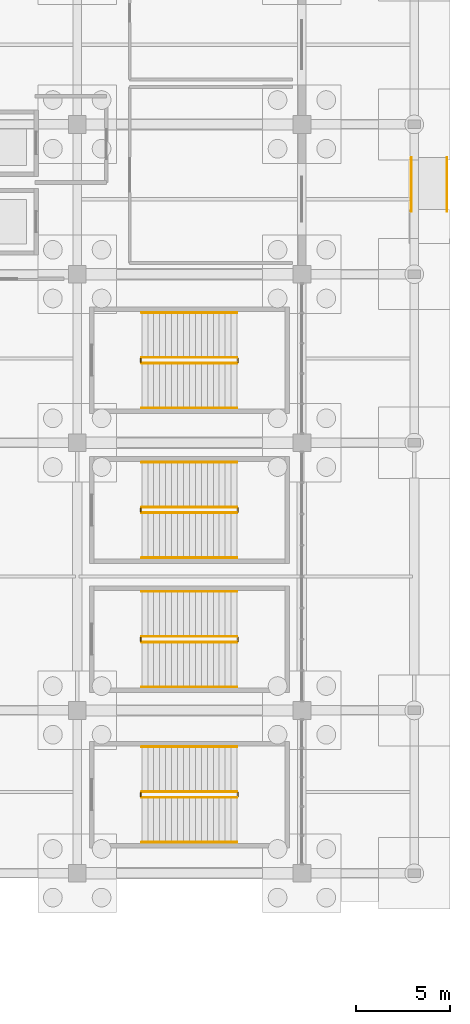
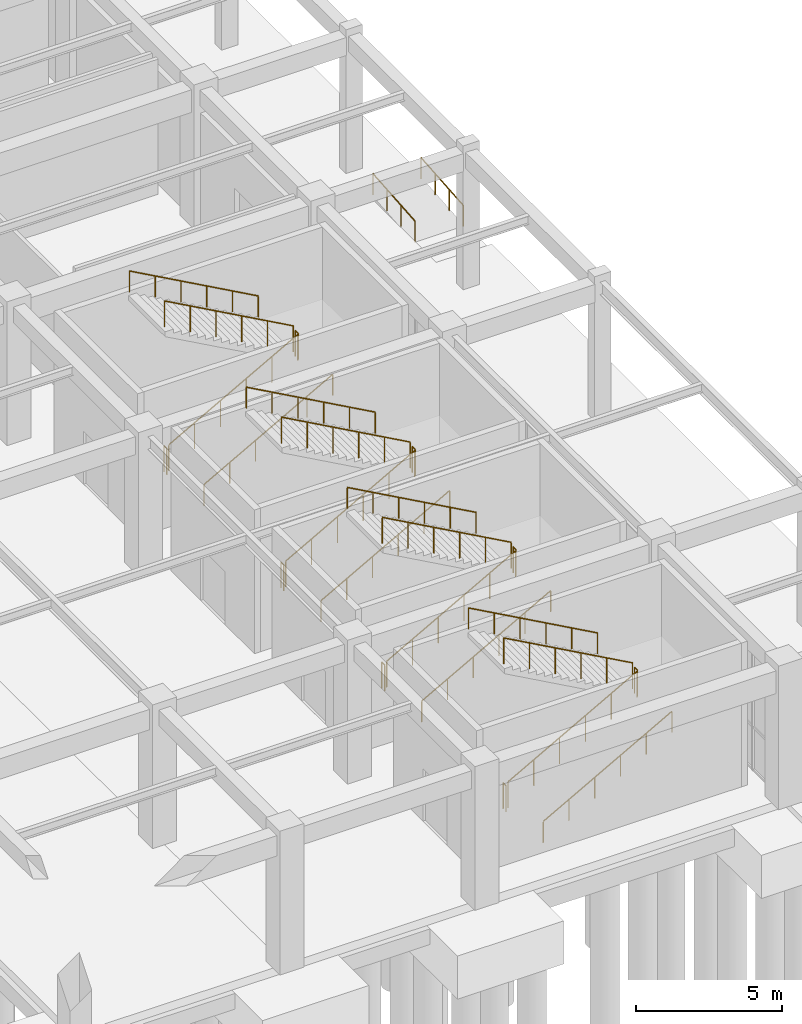
# One storey, part 115 of 121: 26 railings.
"""IFC4 building model written with IfcOpenShell, lengths in metres."""

from ifc_helpers import new_model, si_unit, direction, frame, origin, origin_2d, place, context, subcontext, project, spatial, circle, extrude, material, type_object, element, save


model = new_model("IFC4")

# Units and contexts
model_context = context("Model", 3, precision=1e-05, world=origin(), true_north=direction((0.0, 1.0)))
body_context = subcontext(model_context, "Body", "Model", "MODEL_VIEW")
ifc_project = project(units=[si_unit("LENGTHUNIT", "METRE"), si_unit("AREAUNIT", "SQUARE_METRE"), si_unit("VOLUMEUNIT", "CUBIC_METRE"), si_unit("PLANEANGLEUNIT", "RADIAN"), si_unit("MASSUNIT", "GRAM", prefix="KILO")], contexts=[model_context])

# Site, building, storey
site_placement = place(None, origin())
site = spatial("IfcSite", under=ifc_project, at=site_placement, CompositionType="ELEMENT")
building_placement = place(site_placement, origin())
building = spatial("IfcBuilding", under=site, at=building_placement, Name="Cuetzalor Civic Arena", CompositionType="ELEMENT")
storey_placement = place(building_placement, origin())
storey = spatial("IfcBuildingStorey", under=building, at=storey_placement, Name="L00", CompositionType="ELEMENT", Elevation=0.0)

# Railings
ifc_material_1 = material(Name="Reseda-green architectural Steel S355 balustrade", Category="steel")
railing_type_1 = type_object("IfcRailingType", Name="InteriorVoidBalustrade_1100", PredefinedType="BALUSTRADE", material=ifc_material_1)
railing_1_placement = place(storey_placement, frame((67.449951171875, -52.949951171875, 0.176513671875)))
element("IfcRailing", 1, at=railing_1_placement, inside=storey, type_object=railing_type_1, Name="L00 ST-18 stair guard 1", PredefinedType="BALUSTRADE", context=body_context, shape_type="SweptSolid", body=[
    extrude(circle(Radius=0.02392578125, at=origin_2d()), frame((0.0, 0.0, 1.0810546875), z_axis=(0.874394655587, 0.0, 0.485215401941), x_axis=(0.0, 1.0, 0.0)), (0.0, 0.0, 1.0), 5.819091796875),
    extrude(circle(Radius=0.02099609375, at=origin_2d()), origin(), (0.0, 0.0, 1.0), 1.056884765625),
    extrude(circle(Radius=0.02099609375, at=origin_2d()), frame((1.017578125, 0.0, 0.564697265625)), (0.0, 0.0, 1.0), 1.056884765625),
    extrude(circle(Radius=0.02099609375, at=origin_2d()), frame((2.03515625, 0.0, 1.12939453125)), (0.0, 0.0, 1.0), 1.056884765625),
    extrude(circle(Radius=0.02099609375, at=origin_2d()), frame((3.052978515625, 0.0, 1.694091796875)), (0.0, 0.0, 1.0), 1.056884765625),
    extrude(circle(Radius=0.02099609375, at=origin_2d()), frame((4.070556640625, 0.0, 2.2587890625)), (0.0, 0.0, 1.0), 1.056884765625),
    extrude(circle(Radius=0.02099609375, at=origin_2d()), frame((5.088134765625, 0.0, 2.823486328125)), (0.0, 0.0, 1.0), 1.056884765625),
])
railing_2_placement = place(storey_placement, frame((72.587890625, -52.89990234375, 3.0)))
element("IfcRailing", 2, at=railing_2_placement, inside=storey, type_object=railing_type_1, Name="L00 ST-18 stair guard 2", PredefinedType="BALUSTRADE", context=body_context, shape_type="SweptSolid", body=[
    extrude(circle(Radius=0.02392578125, at=origin_2d()), frame((0.0, 0.0, 1.0810546875), z_axis=(0.0, 1.0, 0.0), x_axis=(-1.0, 0.0, 0.0)), (0.0, 0.0, 1.0), 0.199951171875),
    extrude(circle(Radius=0.02099609375, at=origin_2d()), origin(), (0.0, 0.0, 1.0), 1.056884765625),
    extrude(circle(Radius=0.02099609375, at=origin_2d()), frame((0.0, 0.199951171875, 0.0)), (0.0, 0.0, 1.0), 1.056884765625),
])
railing_3_placement = place(storey_placement, frame((72.5380859375, -52.64990234375, 3.176513671875)))
element("IfcRailing", 3, at=railing_3_placement, inside=storey, type_object=railing_type_1, Name="L00 ST-18 stair guard 3", PredefinedType="BALUSTRADE", context=body_context, shape_type="SweptSolid", body=[
    extrude(circle(Radius=0.02392578125, at=origin_2d()), frame((0.0, 0.0, 1.0810546875), z_axis=(-0.874394655587, 0.0, 0.485215401941), x_axis=(0.0, -1.0, 0.0)), (0.0, 0.0, 1.0), 5.819091796875),
    extrude(circle(Radius=0.02099609375, at=origin_2d()), origin(), (0.0, 0.0, 1.0), 1.056884765625),
    extrude(circle(Radius=0.02099609375, at=origin_2d()), frame((-1.017578125, 0.0, 0.564697265625)), (0.0, 0.0, 1.0), 1.056884765625),
    extrude(circle(Radius=0.02099609375, at=origin_2d()), frame((-2.03515625, 0.0, 1.12939453125)), (0.0, 0.0, 1.0), 1.056884765625),
    extrude(circle(Radius=0.02099609375, at=origin_2d()), frame((-3.052978515625, 0.0, 1.694091796875)), (0.0, 0.0, 1.0), 1.056884765625),
    extrude(circle(Radius=0.02099609375, at=origin_2d()), frame((-4.070556640625, 0.0, 2.2587890625)), (0.0, 0.0, 1.0), 1.056884765625),
    extrude(circle(Radius=0.02099609375, at=origin_2d()), frame((-5.088134765625, 0.0, 2.823486328125)), (0.0, 0.0, 1.0), 1.056884765625),
])
railing_4_placement = place(storey_placement, frame((67.39990234375, -52.89990234375, 0.0)))
element("IfcRailing", 4, at=railing_4_placement, inside=storey, type_object=railing_type_1, Name="L00 ST-18 stair guard 4", PredefinedType="BALUSTRADE", context=body_context, shape_type="SweptSolid", body=[
    extrude(circle(Radius=0.02392578125, at=origin_2d()), frame((0.0, 0.0, 1.0810546875), z_axis=(0.0, 1.0, 0.0), x_axis=(-1.0, 0.0, 0.0)), (0.0, 0.0, 1.0), 0.199951171875),
    extrude(circle(Radius=0.02099609375, at=origin_2d()), origin(), (0.0, 0.0, 1.0), 1.056884765625),
    extrude(circle(Radius=0.02099609375, at=origin_2d()), frame((0.0, 0.199951171875, 0.0)), (0.0, 0.0, 1.0), 1.056884765625),
])
railing_5_placement = place(storey_placement, frame((67.449951171875, -44.64990234375, 0.176513671875)))
element("IfcRailing", 5, at=railing_5_placement, inside=storey, type_object=railing_type_1, Name="L00 ST-19 stair guard 1", PredefinedType="BALUSTRADE", context=body_context, shape_type="SweptSolid", body=[
    extrude(circle(Radius=0.02392578125, at=origin_2d()), frame((0.0, 0.0, 1.0810546875), z_axis=(0.874394655587, 0.0, 0.485215401941), x_axis=(0.0, 1.0, 0.0)), (0.0, 0.0, 1.0), 5.819091796875),
    extrude(circle(Radius=0.02099609375, at=origin_2d()), origin(), (0.0, 0.0, 1.0), 1.056884765625),
    extrude(circle(Radius=0.02099609375, at=origin_2d()), frame((1.017578125, 0.0, 0.564697265625)), (0.0, 0.0, 1.0), 1.056884765625),
    extrude(circle(Radius=0.02099609375, at=origin_2d()), frame((2.03515625, 0.0, 1.12939453125)), (0.0, 0.0, 1.0), 1.056884765625),
    extrude(circle(Radius=0.02099609375, at=origin_2d()), frame((3.052978515625, 0.0, 1.694091796875)), (0.0, 0.0, 1.0), 1.056884765625),
    extrude(circle(Radius=0.02099609375, at=origin_2d()), frame((4.070556640625, 0.0, 2.2587890625)), (0.0, 0.0, 1.0), 1.056884765625),
    extrude(circle(Radius=0.02099609375, at=origin_2d()), frame((5.088134765625, 0.0, 2.823486328125)), (0.0, 0.0, 1.0), 1.056884765625),
])
railing_6_placement = place(storey_placement, frame((72.587890625, -44.60009765625, 3.0)))
element("IfcRailing", 6, at=railing_6_placement, inside=storey, type_object=railing_type_1, Name="L00 ST-19 stair guard 2", PredefinedType="BALUSTRADE", context=body_context, shape_type="SweptSolid", body=[
    extrude(circle(Radius=0.02392578125, at=origin_2d()), frame((0.0, 0.0, 1.0810546875), z_axis=(0.0, 1.0, 0.0), x_axis=(-1.0, 0.0, 0.0)), (0.0, 0.0, 1.0), 0.2001953125),
    extrude(circle(Radius=0.02099609375, at=origin_2d()), origin(), (0.0, 0.0, 1.0), 1.056884765625),
    extrude(circle(Radius=0.02099609375, at=origin_2d()), frame((0.0, 0.2001953125, 0.0)), (0.0, 0.0, 1.0), 1.056884765625),
])
railing_7_placement = place(storey_placement, frame((72.5380859375, -44.35009765625, 3.176513671875)))
element("IfcRailing", 7, at=railing_7_placement, inside=storey, type_object=railing_type_1, Name="L00 ST-19 stair guard 3", PredefinedType="BALUSTRADE", context=body_context, shape_type="SweptSolid", body=[
    extrude(circle(Radius=0.02392578125, at=origin_2d()), frame((0.0, 0.0, 1.0810546875), z_axis=(-0.874394655587, 0.0, 0.485215401941), x_axis=(0.0, -1.0, 0.0)), (0.0, 0.0, 1.0), 5.819091796875),
    extrude(circle(Radius=0.02099609375, at=origin_2d()), origin(), (0.0, 0.0, 1.0), 1.056884765625),
    extrude(circle(Radius=0.02099609375, at=origin_2d()), frame((-1.017578125, 0.0, 0.564697265625)), (0.0, 0.0, 1.0), 1.056884765625),
    extrude(circle(Radius=0.02099609375, at=origin_2d()), frame((-2.03515625, 0.0, 1.12939453125)), (0.0, 0.0, 1.0), 1.056884765625),
    extrude(circle(Radius=0.02099609375, at=origin_2d()), frame((-3.052978515625, 0.0, 1.694091796875)), (0.0, 0.0, 1.0), 1.056884765625),
    extrude(circle(Radius=0.02099609375, at=origin_2d()), frame((-4.070556640625, 0.0, 2.2587890625)), (0.0, 0.0, 1.0), 1.056884765625),
    extrude(circle(Radius=0.02099609375, at=origin_2d()), frame((-5.088134765625, 0.0, 2.823486328125)), (0.0, 0.0, 1.0), 1.056884765625),
])
railing_8_placement = place(storey_placement, frame((67.39990234375, -44.60009765625, 0.0)))
element("IfcRailing", 8, at=railing_8_placement, inside=storey, type_object=railing_type_1, Name="L00 ST-19 stair guard 4", PredefinedType="BALUSTRADE", context=body_context, shape_type="SweptSolid", body=[
    extrude(circle(Radius=0.02392578125, at=origin_2d()), frame((0.0, 0.0, 1.0810546875), z_axis=(0.0, 1.0, 0.0), x_axis=(-1.0, 0.0, 0.0)), (0.0, 0.0, 1.0), 0.2001953125),
    extrude(circle(Radius=0.02099609375, at=origin_2d()), origin(), (0.0, 0.0, 1.0), 1.056884765625),
    extrude(circle(Radius=0.02099609375, at=origin_2d()), frame((0.0, 0.2001953125, 0.0)), (0.0, 0.0, 1.0), 1.056884765625),
])
railing_9_placement = place(storey_placement, frame((67.449951171875, -37.75, 0.176513671875)))
element("IfcRailing", 9, at=railing_9_placement, inside=storey, type_object=railing_type_1, Name="L00 ST-20 stair guard 1", PredefinedType="BALUSTRADE", context=body_context, shape_type="SweptSolid", body=[
    extrude(circle(Radius=0.02392578125, at=origin_2d()), frame((0.0, 0.0, 1.0810546875), z_axis=(0.874394655587, 0.0, 0.485215401941), x_axis=(0.0, 1.0, 0.0)), (0.0, 0.0, 1.0), 5.819091796875),
    extrude(circle(Radius=0.02099609375, at=origin_2d()), origin(), (0.0, 0.0, 1.0), 1.056884765625),
    extrude(circle(Radius=0.02099609375, at=origin_2d()), frame((1.017578125, 0.0, 0.564697265625)), (0.0, 0.0, 1.0), 1.056884765625),
    extrude(circle(Radius=0.02099609375, at=origin_2d()), frame((2.03515625, 0.0, 1.12939453125)), (0.0, 0.0, 1.0), 1.056884765625),
    extrude(circle(Radius=0.02099609375, at=origin_2d()), frame((3.052978515625, 0.0, 1.694091796875)), (0.0, 0.0, 1.0), 1.056884765625),
    extrude(circle(Radius=0.02099609375, at=origin_2d()), frame((4.070556640625, 0.0, 2.2587890625)), (0.0, 0.0, 1.0), 1.056884765625),
    extrude(circle(Radius=0.02099609375, at=origin_2d()), frame((5.088134765625, 0.0, 2.823486328125)), (0.0, 0.0, 1.0), 1.056884765625),
])
railing_10_placement = place(storey_placement, frame((72.587890625, -37.699951171875, 3.0)))
element("IfcRailing", 10, at=railing_10_placement, inside=storey, type_object=railing_type_1, Name="L00 ST-20 stair guard 2", PredefinedType="BALUSTRADE", context=body_context, shape_type="SweptSolid", body=[
    extrude(circle(Radius=0.02392578125, at=origin_2d()), frame((0.0, 0.0, 1.0810546875), z_axis=(0.0, 1.0, 0.0), x_axis=(-1.0, 0.0, 0.0)), (0.0, 0.0, 1.0), 0.199951171875),
    extrude(circle(Radius=0.02099609375, at=origin_2d()), origin(), (0.0, 0.0, 1.0), 1.056884765625),
    extrude(circle(Radius=0.02099609375, at=origin_2d()), frame((0.0, 0.199951171875, 0.0)), (0.0, 0.0, 1.0), 1.056884765625),
])
railing_11_placement = place(storey_placement, frame((72.5380859375, -37.449951171875, 3.176513671875)))
element("IfcRailing", 11, at=railing_11_placement, inside=storey, type_object=railing_type_1, Name="L00 ST-20 stair guard 3", PredefinedType="BALUSTRADE", context=body_context, shape_type="SweptSolid", body=[
    extrude(circle(Radius=0.02392578125, at=origin_2d()), frame((0.0, 0.0, 1.0810546875), z_axis=(-0.874394655587, 0.0, 0.485215401941), x_axis=(0.0, -1.0, 0.0)), (0.0, 0.0, 1.0), 5.819091796875),
    extrude(circle(Radius=0.02099609375, at=origin_2d()), origin(), (0.0, 0.0, 1.0), 1.056884765625),
    extrude(circle(Radius=0.02099609375, at=origin_2d()), frame((-1.017578125, 0.0, 0.564697265625)), (0.0, 0.0, 1.0), 1.056884765625),
    extrude(circle(Radius=0.02099609375, at=origin_2d()), frame((-2.03515625, 0.0, 1.12939453125)), (0.0, 0.0, 1.0), 1.056884765625),
    extrude(circle(Radius=0.02099609375, at=origin_2d()), frame((-3.052978515625, 0.0, 1.694091796875)), (0.0, 0.0, 1.0), 1.056884765625),
    extrude(circle(Radius=0.02099609375, at=origin_2d()), frame((-4.070556640625, 0.0, 2.2587890625)), (0.0, 0.0, 1.0), 1.056884765625),
    extrude(circle(Radius=0.02099609375, at=origin_2d()), frame((-5.088134765625, 0.0, 2.823486328125)), (0.0, 0.0, 1.0), 1.056884765625),
])
railing_12_placement = place(storey_placement, frame((67.39990234375, -37.699951171875, 0.0)))
element("IfcRailing", 12, at=railing_12_placement, inside=storey, type_object=railing_type_1, Name="L00 ST-20 stair guard 4", PredefinedType="BALUSTRADE", context=body_context, shape_type="SweptSolid", body=[
    extrude(circle(Radius=0.02392578125, at=origin_2d()), frame((0.0, 0.0, 1.0810546875), z_axis=(0.0, 1.0, 0.0), x_axis=(-1.0, 0.0, 0.0)), (0.0, 0.0, 1.0), 0.199951171875),
    extrude(circle(Radius=0.02099609375, at=origin_2d()), origin(), (0.0, 0.0, 1.0), 1.056884765625),
    extrude(circle(Radius=0.02099609375, at=origin_2d()), frame((0.0, 0.199951171875, 0.0)), (0.0, 0.0, 1.0), 1.056884765625),
])
railing_13_placement = place(storey_placement, frame((67.449951171875, -29.75, 0.176513671875)))
element("IfcRailing", 13, at=railing_13_placement, inside=storey, type_object=railing_type_1, Name="L00 ST-21 stair guard 1", PredefinedType="BALUSTRADE", context=body_context, shape_type="SweptSolid", body=[
    extrude(circle(Radius=0.02392578125, at=origin_2d()), frame((0.0, 0.0, 1.0810546875), z_axis=(0.874394655587, 0.0, 0.485215401941), x_axis=(0.0, 1.0, 0.0)), (0.0, 0.0, 1.0), 5.819091796875),
    extrude(circle(Radius=0.02099609375, at=origin_2d()), origin(), (0.0, 0.0, 1.0), 1.056884765625),
    extrude(circle(Radius=0.02099609375, at=origin_2d()), frame((1.017578125, 0.0, 0.564697265625)), (0.0, 0.0, 1.0), 1.056884765625),
    extrude(circle(Radius=0.02099609375, at=origin_2d()), frame((2.03515625, 0.0, 1.12939453125)), (0.0, 0.0, 1.0), 1.056884765625),
    extrude(circle(Radius=0.02099609375, at=origin_2d()), frame((3.052978515625, 0.0, 1.694091796875)), (0.0, 0.0, 1.0), 1.056884765625),
    extrude(circle(Radius=0.02099609375, at=origin_2d()), frame((4.070556640625, 0.0, 2.2587890625)), (0.0, 0.0, 1.0), 1.056884765625),
    extrude(circle(Radius=0.02099609375, at=origin_2d()), frame((5.088134765625, 0.0, 2.823486328125)), (0.0, 0.0, 1.0), 1.056884765625),
])
railing_14_placement = place(storey_placement, frame((72.587890625, -29.699951171875, 3.0)))
element("IfcRailing", 14, at=railing_14_placement, inside=storey, type_object=railing_type_1, Name="L00 ST-21 stair guard 2", PredefinedType="BALUSTRADE", context=body_context, shape_type="SweptSolid", body=[
    extrude(circle(Radius=0.02392578125, at=origin_2d()), frame((0.0, 0.0, 1.0810546875), z_axis=(0.0, 1.0, 0.0), x_axis=(-1.0, 0.0, 0.0)), (0.0, 0.0, 1.0), 0.199951171875),
    extrude(circle(Radius=0.02099609375, at=origin_2d()), origin(), (0.0, 0.0, 1.0), 1.056884765625),
    extrude(circle(Radius=0.02099609375, at=origin_2d()), frame((0.0, 0.199951171875, 0.0)), (0.0, 0.0, 1.0), 1.056884765625),
])
railing_15_placement = place(storey_placement, frame((72.5380859375, -29.449951171875, 3.176513671875)))
element("IfcRailing", 15, at=railing_15_placement, inside=storey, type_object=railing_type_1, Name="L00 ST-21 stair guard 3", PredefinedType="BALUSTRADE", context=body_context, shape_type="SweptSolid", body=[
    extrude(circle(Radius=0.02392578125, at=origin_2d()), frame((0.0, 0.0, 1.0810546875), z_axis=(-0.874394655587, 0.0, 0.485215401941), x_axis=(0.0, -1.0, 0.0)), (0.0, 0.0, 1.0), 5.819091796875),
    extrude(circle(Radius=0.02099609375, at=origin_2d()), origin(), (0.0, 0.0, 1.0), 1.056884765625),
    extrude(circle(Radius=0.02099609375, at=origin_2d()), frame((-1.017578125, 0.0, 0.564697265625)), (0.0, 0.0, 1.0), 1.056884765625),
    extrude(circle(Radius=0.02099609375, at=origin_2d()), frame((-2.03515625, 0.0, 1.12939453125)), (0.0, 0.0, 1.0), 1.056884765625),
    extrude(circle(Radius=0.02099609375, at=origin_2d()), frame((-3.052978515625, 0.0, 1.694091796875)), (0.0, 0.0, 1.0), 1.056884765625),
    extrude(circle(Radius=0.02099609375, at=origin_2d()), frame((-4.070556640625, 0.0, 2.2587890625)), (0.0, 0.0, 1.0), 1.056884765625),
    extrude(circle(Radius=0.02099609375, at=origin_2d()), frame((-5.088134765625, 0.0, 2.823486328125)), (0.0, 0.0, 1.0), 1.056884765625),
])
railing_16_placement = place(storey_placement, frame((67.39990234375, -29.699951171875, 0.0)))
element("IfcRailing", 16, at=railing_16_placement, inside=storey, type_object=railing_type_1, Name="L00 ST-21 stair guard 4", PredefinedType="BALUSTRADE", context=body_context, shape_type="SweptSolid", body=[
    extrude(circle(Radius=0.02392578125, at=origin_2d()), frame((0.0, 0.0, 1.0810546875), z_axis=(0.0, 1.0, 0.0), x_axis=(-1.0, 0.0, 0.0)), (0.0, 0.0, 1.0), 0.199951171875),
    extrude(circle(Radius=0.02099609375, at=origin_2d()), origin(), (0.0, 0.0, 1.0), 1.056884765625),
    extrude(circle(Radius=0.02099609375, at=origin_2d()), frame((0.0, 0.199951171875, 0.0)), (0.0, 0.0, 1.0), 1.056884765625),
])
ifc_material_2 = material(Name="Galvanised steel S355", Category="steel")
railing_type_2 = type_object("IfcRailingType", Name="StairPitchHandrail_900", PredefinedType="HANDRAIL", material=ifc_material_2)
railing_17_placement = place(storey_placement, frame((67.449951171875, -55.35009765625, 0.176513671875)))
element("IfcRailing", 17, at=railing_17_placement, inside=storey, type_object=railing_type_2, Name="L00 ST-18 stair handrail 1", PredefinedType="HANDRAIL", context=body_context, shape_type="SweptSolid", body=[
    extrude(circle(Radius=0.02392578125, at=origin_2d()), frame((0.0, 0.0, 0.8759765625), z_axis=(0.874394655587, 0.0, 0.485215401941), x_axis=(0.0, 1.0, 0.0)), (0.0, 0.0, 1.0), 5.819091796875),
    extrude(circle(Radius=0.02099609375, at=origin_2d()), origin(), (0.0, 0.0, 1.0), 0.851806640625),
    extrude(circle(Radius=0.02099609375, at=origin_2d()), frame((1.017578125, 0.0, 0.564697265625)), (0.0, 0.0, 1.0), 0.851806640625),
    extrude(circle(Radius=0.02099609375, at=origin_2d()), frame((2.03515625, 0.0, 1.12939453125)), (0.0, 0.0, 1.0), 0.851806640625),
    extrude(circle(Radius=0.02099609375, at=origin_2d()), frame((3.052978515625, 0.0, 1.694091796875)), (0.0, 0.0, 1.0), 0.851806640625),
    extrude(circle(Radius=0.02099609375, at=origin_2d()), frame((4.070556640625, 0.0, 2.2587890625)), (0.0, 0.0, 1.0), 0.851806640625),
    extrude(circle(Radius=0.02099609375, at=origin_2d()), frame((5.088134765625, 0.0, 2.823486328125)), (0.0, 0.0, 1.0), 0.851806640625),
])
railing_18_placement = place(storey_placement, frame((72.5380859375, -50.25, 3.176513671875)))
element("IfcRailing", 18, at=railing_18_placement, inside=storey, type_object=railing_type_2, Name="L00 ST-18 stair handrail 2", PredefinedType="HANDRAIL", context=body_context, shape_type="SweptSolid", body=[
    extrude(circle(Radius=0.02392578125, at=origin_2d()), frame((0.0, 0.0, 0.8759765625), z_axis=(-0.874394655587, 0.0, 0.485215401941), x_axis=(0.0, -1.0, 0.0)), (0.0, 0.0, 1.0), 5.819091796875),
    extrude(circle(Radius=0.02099609375, at=origin_2d()), origin(), (0.0, 0.0, 1.0), 0.851806640625),
    extrude(circle(Radius=0.02099609375, at=origin_2d()), frame((-1.017578125, 0.0, 0.564697265625)), (0.0, 0.0, 1.0), 0.851806640625),
    extrude(circle(Radius=0.02099609375, at=origin_2d()), frame((-2.03515625, 0.0, 1.12939453125)), (0.0, 0.0, 1.0), 0.851806640625),
    extrude(circle(Radius=0.02099609375, at=origin_2d()), frame((-3.052978515625, 0.0, 1.694091796875)), (0.0, 0.0, 1.0), 0.851806640625),
    extrude(circle(Radius=0.02099609375, at=origin_2d()), frame((-4.070556640625, 0.0, 2.2587890625)), (0.0, 0.0, 1.0), 0.851806640625),
    extrude(circle(Radius=0.02099609375, at=origin_2d()), frame((-5.088134765625, 0.0, 2.823486328125)), (0.0, 0.0, 1.0), 0.851806640625),
])
railing_19_placement = place(storey_placement, frame((67.449951171875, -47.050048828125, 0.176513671875)))
element("IfcRailing", 19, at=railing_19_placement, inside=storey, type_object=railing_type_2, Name="L00 ST-19 stair handrail 1", PredefinedType="HANDRAIL", context=body_context, shape_type="SweptSolid", body=[
    extrude(circle(Radius=0.02392578125, at=origin_2d()), frame((0.0, 0.0, 0.8759765625), z_axis=(0.874394655587, 0.0, 0.485215401941), x_axis=(0.0, 1.0, 0.0)), (0.0, 0.0, 1.0), 5.819091796875),
    extrude(circle(Radius=0.02099609375, at=origin_2d()), origin(), (0.0, 0.0, 1.0), 0.851806640625),
    extrude(circle(Radius=0.02099609375, at=origin_2d()), frame((1.017578125, 0.0, 0.564697265625)), (0.0, 0.0, 1.0), 0.851806640625),
    extrude(circle(Radius=0.02099609375, at=origin_2d()), frame((2.03515625, 0.0, 1.12939453125)), (0.0, 0.0, 1.0), 0.851806640625),
    extrude(circle(Radius=0.02099609375, at=origin_2d()), frame((3.052978515625, 0.0, 1.694091796875)), (0.0, 0.0, 1.0), 0.851806640625),
    extrude(circle(Radius=0.02099609375, at=origin_2d()), frame((4.070556640625, 0.0, 2.2587890625)), (0.0, 0.0, 1.0), 0.851806640625),
    extrude(circle(Radius=0.02099609375, at=origin_2d()), frame((5.088134765625, 0.0, 2.823486328125)), (0.0, 0.0, 1.0), 0.851806640625),
])
railing_20_placement = place(storey_placement, frame((72.5380859375, -41.949951171875, 3.176513671875)))
element("IfcRailing", 20, at=railing_20_placement, inside=storey, type_object=railing_type_2, Name="L00 ST-19 stair handrail 2", PredefinedType="HANDRAIL", context=body_context, shape_type="SweptSolid", body=[
    extrude(circle(Radius=0.02392578125, at=origin_2d()), frame((0.0, 0.0, 0.8759765625), z_axis=(-0.874394655587, 0.0, 0.485215401941), x_axis=(0.0, -1.0, 0.0)), (0.0, 0.0, 1.0), 5.819091796875),
    extrude(circle(Radius=0.02099609375, at=origin_2d()), origin(), (0.0, 0.0, 1.0), 0.851806640625),
    extrude(circle(Radius=0.02099609375, at=origin_2d()), frame((-1.017578125, 0.0, 0.564697265625)), (0.0, 0.0, 1.0), 0.851806640625),
    extrude(circle(Radius=0.02099609375, at=origin_2d()), frame((-2.03515625, 0.0, 1.12939453125)), (0.0, 0.0, 1.0), 0.851806640625),
    extrude(circle(Radius=0.02099609375, at=origin_2d()), frame((-3.052978515625, 0.0, 1.694091796875)), (0.0, 0.0, 1.0), 0.851806640625),
    extrude(circle(Radius=0.02099609375, at=origin_2d()), frame((-4.070556640625, 0.0, 2.2587890625)), (0.0, 0.0, 1.0), 0.851806640625),
    extrude(circle(Radius=0.02099609375, at=origin_2d()), frame((-5.088134765625, 0.0, 2.823486328125)), (0.0, 0.0, 1.0), 0.851806640625),
])
railing_21_placement = place(storey_placement, frame((67.449951171875, -40.14990234375, 0.176513671875)))
element("IfcRailing", 21, at=railing_21_placement, inside=storey, type_object=railing_type_2, Name="L00 ST-20 stair handrail 1", PredefinedType="HANDRAIL", context=body_context, shape_type="SweptSolid", body=[
    extrude(circle(Radius=0.02392578125, at=origin_2d()), frame((0.0, 0.0, 0.8759765625), z_axis=(0.874394655587, 0.0, 0.485215401941), x_axis=(0.0, 1.0, 0.0)), (0.0, 0.0, 1.0), 5.819091796875),
    extrude(circle(Radius=0.02099609375, at=origin_2d()), origin(), (0.0, 0.0, 1.0), 0.851806640625),
    extrude(circle(Radius=0.02099609375, at=origin_2d()), frame((1.017578125, 0.0, 0.564697265625)), (0.0, 0.0, 1.0), 0.851806640625),
    extrude(circle(Radius=0.02099609375, at=origin_2d()), frame((2.03515625, 0.0, 1.12939453125)), (0.0, 0.0, 1.0), 0.851806640625),
    extrude(circle(Radius=0.02099609375, at=origin_2d()), frame((3.052978515625, 0.0, 1.694091796875)), (0.0, 0.0, 1.0), 0.851806640625),
    extrude(circle(Radius=0.02099609375, at=origin_2d()), frame((4.070556640625, 0.0, 2.2587890625)), (0.0, 0.0, 1.0), 0.851806640625),
    extrude(circle(Radius=0.02099609375, at=origin_2d()), frame((5.088134765625, 0.0, 2.823486328125)), (0.0, 0.0, 1.0), 0.851806640625),
])
railing_22_placement = place(storey_placement, frame((72.5380859375, -35.050048828125, 3.176513671875)))
element("IfcRailing", 22, at=railing_22_placement, inside=storey, type_object=railing_type_2, Name="L00 ST-20 stair handrail 2", PredefinedType="HANDRAIL", context=body_context, shape_type="SweptSolid", body=[
    extrude(circle(Radius=0.02392578125, at=origin_2d()), frame((0.0, 0.0, 0.8759765625), z_axis=(-0.874394655587, 0.0, 0.485215401941), x_axis=(0.0, -1.0, 0.0)), (0.0, 0.0, 1.0), 5.819091796875),
    extrude(circle(Radius=0.02099609375, at=origin_2d()), origin(), (0.0, 0.0, 1.0), 0.851806640625),
    extrude(circle(Radius=0.02099609375, at=origin_2d()), frame((-1.017578125, 0.0, 0.564697265625)), (0.0, 0.0, 1.0), 0.851806640625),
    extrude(circle(Radius=0.02099609375, at=origin_2d()), frame((-2.03515625, 0.0, 1.12939453125)), (0.0, 0.0, 1.0), 0.851806640625),
    extrude(circle(Radius=0.02099609375, at=origin_2d()), frame((-3.052978515625, 0.0, 1.694091796875)), (0.0, 0.0, 1.0), 0.851806640625),
    extrude(circle(Radius=0.02099609375, at=origin_2d()), frame((-4.070556640625, 0.0, 2.2587890625)), (0.0, 0.0, 1.0), 0.851806640625),
    extrude(circle(Radius=0.02099609375, at=origin_2d()), frame((-5.088134765625, 0.0, 2.823486328125)), (0.0, 0.0, 1.0), 0.851806640625),
])
railing_23_placement = place(storey_placement, frame((67.449951171875, -32.14990234375, 0.176513671875)))
element("IfcRailing", 23, at=railing_23_placement, inside=storey, type_object=railing_type_2, Name="L00 ST-21 stair handrail 1", PredefinedType="HANDRAIL", context=body_context, shape_type="SweptSolid", body=[
    extrude(circle(Radius=0.02392578125, at=origin_2d()), frame((0.0, 0.0, 0.8759765625), z_axis=(0.874394655587, 0.0, 0.485215401941), x_axis=(0.0, 1.0, 0.0)), (0.0, 0.0, 1.0), 5.819091796875),
    extrude(circle(Radius=0.02099609375, at=origin_2d()), origin(), (0.0, 0.0, 1.0), 0.851806640625),
    extrude(circle(Radius=0.02099609375, at=origin_2d()), frame((1.017578125, 0.0, 0.564697265625)), (0.0, 0.0, 1.0), 0.851806640625),
    extrude(circle(Radius=0.02099609375, at=origin_2d()), frame((2.03515625, 0.0, 1.12939453125)), (0.0, 0.0, 1.0), 0.851806640625),
    extrude(circle(Radius=0.02099609375, at=origin_2d()), frame((3.052978515625, 0.0, 1.694091796875)), (0.0, 0.0, 1.0), 0.851806640625),
    extrude(circle(Radius=0.02099609375, at=origin_2d()), frame((4.070556640625, 0.0, 2.2587890625)), (0.0, 0.0, 1.0), 0.851806640625),
    extrude(circle(Radius=0.02099609375, at=origin_2d()), frame((5.088134765625, 0.0, 2.823486328125)), (0.0, 0.0, 1.0), 0.851806640625),
])
railing_24_placement = place(storey_placement, frame((72.5380859375, -27.050048828125, 3.176513671875)))
element("IfcRailing", 24, at=railing_24_placement, inside=storey, type_object=railing_type_2, Name="L00 ST-21 stair handrail 2", PredefinedType="HANDRAIL", context=body_context, shape_type="SweptSolid", body=[
    extrude(circle(Radius=0.02392578125, at=origin_2d()), frame((0.0, 0.0, 0.8759765625), z_axis=(-0.874394655587, 0.0, 0.485215401941), x_axis=(0.0, -1.0, 0.0)), (0.0, 0.0, 1.0), 5.819091796875),
    extrude(circle(Radius=0.02099609375, at=origin_2d()), origin(), (0.0, 0.0, 1.0), 0.851806640625),
    extrude(circle(Radius=0.02099609375, at=origin_2d()), frame((-1.017578125, 0.0, 0.564697265625)), (0.0, 0.0, 1.0), 0.851806640625),
    extrude(circle(Radius=0.02099609375, at=origin_2d()), frame((-2.03515625, 0.0, 1.12939453125)), (0.0, 0.0, 1.0), 0.851806640625),
    extrude(circle(Radius=0.02099609375, at=origin_2d()), frame((-3.052978515625, 0.0, 1.694091796875)), (0.0, 0.0, 1.0), 0.851806640625),
    extrude(circle(Radius=0.02099609375, at=origin_2d()), frame((-4.070556640625, 0.0, 2.2587890625)), (0.0, 0.0, 1.0), 0.851806640625),
    extrude(circle(Radius=0.02099609375, at=origin_2d()), frame((-5.088134765625, 0.0, 2.823486328125)), (0.0, 0.0, 1.0), 0.851806640625),
])
for number, where, name in (
    (25, (81.85009765625, -21.64990234375, -0.239990234375), "Accessible Ramp RMP-E1 Handrail L"),
    (26, (83.75, -21.64990234375, -0.239990234375), "Accessible Ramp RMP-E1 Handrail R"),
):
    element("IfcRailing", number, at=place(storey_placement, frame(where)), inside=storey, type_object=railing_type_2, Name=name, PredefinedType="HANDRAIL", context=body_context, shape_type="SweptSolid", body=[
        extrude(circle(Radius=0.02392578125, at=origin_2d()), frame((0.0, 0.0, 0.8759765625), z_axis=(0.0, 0.996545758245, 0.083045479854), x_axis=(-1.0, 0.0, 0.0)), (0.0, 0.0, 1.0), 2.889892578125),
        extrude(circle(Radius=0.02099609375, at=origin_2d()), origin(), (0.0, 0.0, 1.0), 0.851806640625),
        extrude(circle(Radius=0.02099609375, at=origin_2d()), frame((0.0, 0.9599609375, 0.080078125)), (0.0, 0.0, 1.0), 0.851806640625),
        extrude(circle(Radius=0.02099609375, at=origin_2d()), frame((0.0, 1.919921875, 0.159912109375)), (0.0, 0.0, 1.0), 0.851806640625),
        extrude(circle(Radius=0.02099609375, at=origin_2d()), frame((0.0, 2.8798828125, 0.239990234375)), (0.0, 0.0, 1.0), 0.851806640625),
    ])

save(model, "model.ifc")
